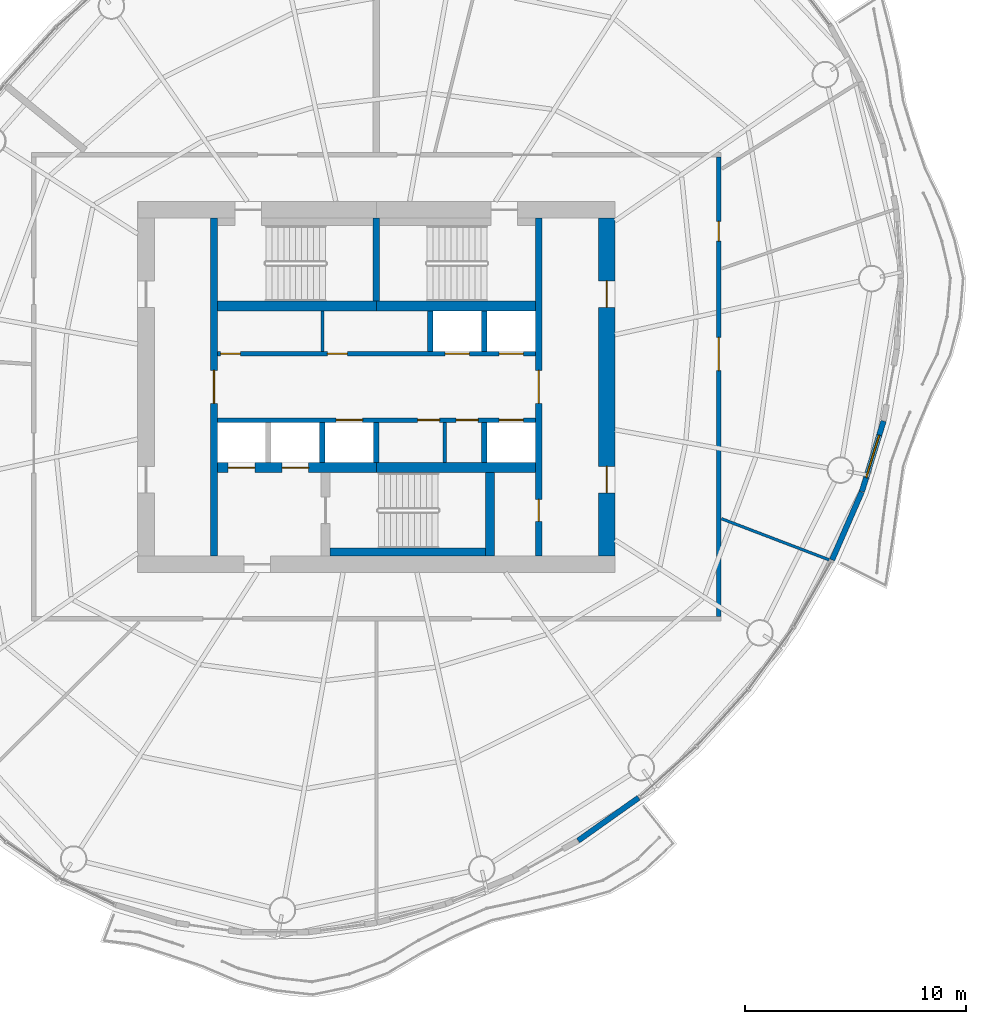
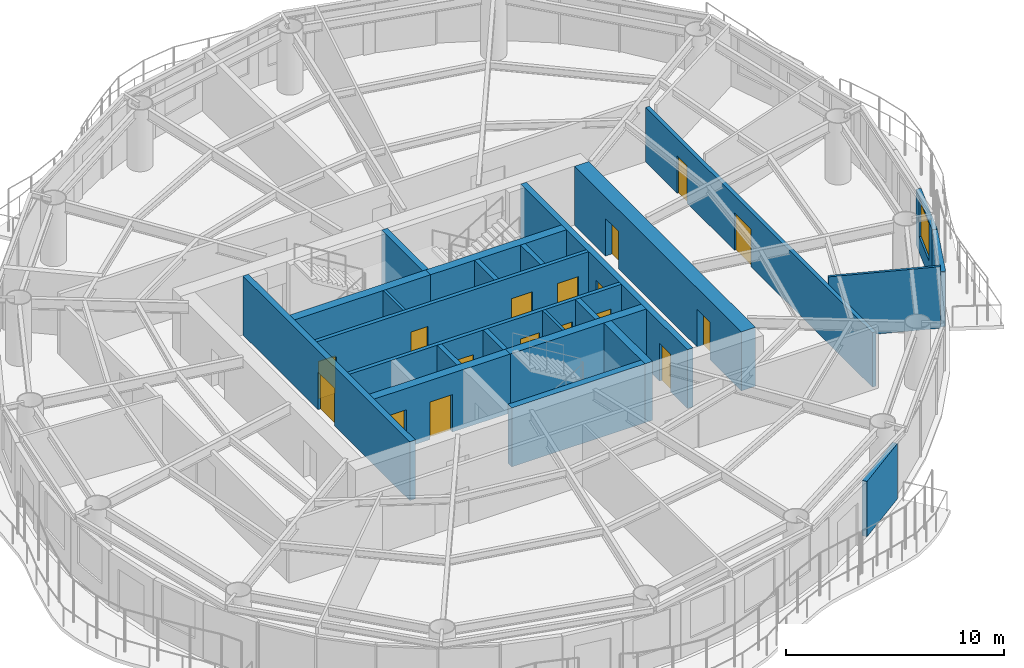
# One storey, part 9 of 14: 24 walls, 17 doors, 1 window, 18 openings.
"""IFC4 building model written with IfcOpenShell, lengths in metres."""

import ifcopenshell
import ifcopenshell.guid

model = None  # the IFC model being written
_history = None  # IfcOwnerHistory: only IFC2X3 demands one
_inside = {}  # id of a spatial element -> (the spatial element, [elements in it])
_under = {}  # id of a project, library or spatial element -> (it, [spatial elements below it])
_declared = {}  # id of a project -> (the project, [libraries it declares])
_typed = {}  # id of a type object -> (the type object, [elements of that type])
_made_of = {}  # id of a material, layer set ... -> (it, [elements and type objects made of it])


def new_model(schema):
    """Start an empty IFC model of exactly this schema.

    Asked for "IFC4X3", IfcOpenShell would pick the latest addendum, in which some entities
    have other attributes; the version numbers below select the first issue.
    IFC2X3 requires an IfcOwnerHistory on every rooted entity: one is made here for all.
    """
    global model, _history
    if schema == "IFC4X3":
        model = ifcopenshell.file(schema_version=(4, 3, 0, 0))
    else:
        model = ifcopenshell.file(schema=schema)
    _inside.clear()
    _under.clear()
    _declared.clear()
    _typed.clear()
    _made_of.clear()
    _history = None
    if model.schema == "IFC2X3":
        org = make("IfcOrganization", Name="unknown")
        user = make(
            "IfcPersonAndOrganization",
            ThePerson=make("IfcPerson", FamilyName="unknown"),
            TheOrganization=org,
        )
        app = make(
            "IfcApplication",
            ApplicationDeveloper=org,
            Version="unknown",
            ApplicationFullName="unknown",
            ApplicationIdentifier="unknown",
        )
        _history = make(
            "IfcOwnerHistory",
            OwningUser=user,
            OwningApplication=app,
            ChangeAction="ADDED",
            CreationDate=0,
        )
    return model


def make(cls, **values):
    """One entity of the class cls with the attributes given. An attribute that is None is left unset."""
    return model.create_entity(
        cls, **{name: value for name, value in values.items() if value is not None}
    )


def rooted(cls, **values):
    """An entity with a GlobalId (a new one), such as an element, a storey or a relation."""
    return make(cls, GlobalId=ifcopenshell.guid.new(), OwnerHistory=_history, **values)


def si_unit(unit_type, name, prefix=None):
    """IfcSIUnit, for example si_unit("LENGTHUNIT", "METRE", prefix="MILLI")."""
    return make("IfcSIUnit", UnitType=unit_type, Prefix=prefix, Name=name)


def assignment(units):
    """IfcUnitAssignment: the units of a project."""
    return None if units is None else make("IfcUnitAssignment", Units=units)


def point(xyz):
    """IfcCartesianPoint."""
    return None if xyz is None else make("IfcCartesianPoint", Coordinates=xyz)


def direction(xyz):
    """IfcDirection."""
    return None if xyz is None else make("IfcDirection", DirectionRatios=xyz)


def frame(location, z_axis=None, x_axis=None):
    """IfcAxis2Placement3D, a coordinate frame: its origin and axes. An axis left out is left unset."""
    return make(
        "IfcAxis2Placement3D",
        Location=point(location),
        Axis=direction(z_axis),
        RefDirection=direction(x_axis),
    )


def frame_2d(location, x_axis=None):
    """IfcAxis2Placement2D, a coordinate frame in the plane: its origin and x axis."""
    return make(
        "IfcAxis2Placement2D", Location=point(location), RefDirection=direction(x_axis)
    )


def origin():
    """The frame at (0, 0, 0) with its axes left unset."""
    return frame((0.0, 0.0, 0.0))


def place(relative_to, where):
    """IfcLocalPlacement: puts the frame where relative to a parent placement (None: the world)."""
    return make(
        "IfcLocalPlacement", PlacementRelTo=relative_to, RelativePlacement=where
    )


def context(
    kind, dimensions, precision=None, world=None, true_north=None, identifier=None
):
    """IfcGeometricRepresentationContext, for example the 3D "Model" context."""
    return make(
        "IfcGeometricRepresentationContext",
        ContextIdentifier=identifier,
        ContextType=kind,
        CoordinateSpaceDimension=dimensions,
        Precision=precision,
        WorldCoordinateSystem=world,
        TrueNorth=true_north,
    )


def subcontext(parent, identifier, kind, view, scale=None):
    """IfcGeometricRepresentationSubContext, for example "Body" below "Model"."""
    return make(
        "IfcGeometricRepresentationSubContext",
        ContextIdentifier=identifier,
        ContextType=kind,
        ParentContext=parent,
        TargetScale=scale,
        TargetView=view,
    )


def project(units=None, contexts=None):
    """IfcProject with its units and contexts."""
    return rooted(
        "IfcProject",
        Name="project",
        RepresentationContexts=contexts,
        UnitsInContext=assignment(units),
    )


def spatial(cls, under=None, at=None, **own):
    """A site, building, storey or space (cls), placed at a placement, below another one or the project."""
    s = rooted(cls, ObjectPlacement=at, **own)
    if under is not None:
        _under.setdefault(under.id(), (under, []))[1].append(s)
    return s


def profile(cls, at=None, kind="AREA", **sizes):
    """A parametric profile (cls). Its sizes go by their IFC names, for example OverallWidth=200.0."""
    return make(cls, ProfileType=kind, Position=at, **sizes)


def rectangle(**sizes):
    """IfcRectangleProfileDef."""
    return profile("IfcRectangleProfileDef", **sizes)


def extrude(swept, where, along, depth):
    """IfcExtrudedAreaSolid: the profile swept, set in the frame where, extruded along a direction by depth."""
    return make(
        "IfcExtrudedAreaSolid",
        SweptArea=swept,
        Position=where,
        ExtrudedDirection=direction(along),
        Depth=depth,
    )


def shape(context_of_items, identifier, shape_type, items):
    """IfcShapeRepresentation: the items that make up one representation, for example the "Body"."""
    return make(
        "IfcShapeRepresentation",
        ContextOfItems=context_of_items,
        RepresentationIdentifier=identifier,
        RepresentationType=shape_type,
        Items=items,
    )


def material(Name=None, Category=None):
    """IfcMaterial."""
    return make("IfcMaterial", Name=Name, Category=Category)


def layer(
    of_material, thickness, ventilated=None, Name=None, Category=None, Priority=None
):
    """IfcMaterialLayer: one layer of a wall or slab, of a material (None: an air gap)."""
    return make(
        "IfcMaterialLayer",
        Material=of_material,
        LayerThickness=thickness,
        IsVentilated=ventilated,
        Name=Name,
        Category=Category,
        Priority=Priority,
    )


def layer_set(layers, Name=None):
    """IfcMaterialLayerSet."""
    return make("IfcMaterialLayerSet", MaterialLayers=layers, LayerSetName=Name)


def made_of(thing, what):
    """Note that an element or type object is made of a material, layer set ...; save() writes the relation."""
    if what is not None:
        _made_of.setdefault(what.id(), (what, []))[1].append(thing)
    return thing


def type_object(cls, material=None, **own):
    """A type object (cls), such as IfcWallType, which elements share."""
    return made_of(rooted(cls, **own), material)


def element(
    cls,
    number,
    at=None,
    inside=None,
    cuts=None,
    type_object=None,
    material=None,
    context=None,
    identifier="Body",
    shape_type=None,
    held_by="IfcProductDefinitionShape",
    body=None,
    shapes=None,
    **own,
):
    """One element of the class cls, such as IfcWall. Its Tag is "e" and its number.

    at: its placement. inside: the storey or other place that contains it. cuts: it is an
    opening in that element (IfcRelVoidsElement). A single representation is given by context,
    identifier, shape_type and body (its items); several are given by shapes. held_by: the class
    of the entity that holds the representations. save() writes the other relations.
    """
    e = rooted(cls, Tag="e%d" % number, ObjectPlacement=at, **own)
    if body is not None:
        shapes = [shape(context, identifier, shape_type, body)]
    if shapes is not None:
        e.Representation = make(held_by, Representations=shapes)
    if inside is not None:
        _inside.setdefault(inside.id(), (inside, []))[1].append(e)
    if cuts is not None:
        rooted(
            "IfcRelVoidsElement", RelatingBuildingElement=cuts, RelatedOpeningElement=e
        )
    if type_object is not None:
        _typed.setdefault(type_object.id(), (type_object, []))[1].append(e)
    return made_of(e, material)


def fill(opening, filler):
    """IfcRelFillsElement: the door or window that sits in an opening."""
    return rooted(
        "IfcRelFillsElement",
        RelatingOpeningElement=opening,
        RelatedBuildingElement=filler,
    )


def aggregate(whole, parts):
    """IfcRelAggregates: a whole, such as a stair, and the parts it consists of."""
    return rooted("IfcRelAggregates", RelatingObject=whole, RelatedObjects=parts)


def save(model, path):
    """Write the relations noted so far, then the file.

    IfcRelAggregates (storeys below a building ...), IfcRelContainedInSpatialStructure (elements
    in a storey), IfcRelDefinesByType, IfcRelAssociatesMaterial and IfcRelDeclares: one each for
    every whole, place, type object, material and project.
    """
    for whole, parts in _under.values():
        aggregate(whole, parts)
    for where, things in _inside.values():
        rooted(
            "IfcRelContainedInSpatialStructure",
            RelatedElements=things,
            RelatingStructure=where,
        )
    for kind, things in _typed.values():
        rooted("IfcRelDefinesByType", RelatedObjects=things, RelatingType=kind)
    for what, things in _made_of.values():
        rooted("IfcRelAssociatesMaterial", RelatedObjects=things, RelatingMaterial=what)
    for by, libraries in _declared.values():
        rooted("IfcRelDeclares", RelatingContext=by, RelatedDefinitions=libraries)
    model.write(path)


model = new_model("IFC4")

# Units and contexts
model_context = context("Model", 3, precision=1e-05, world=origin(), true_north=direction((0.0, 1.0)))
body_context = subcontext(model_context, "Body", "Model", "MODEL_VIEW")
ifc_project = project(units=[si_unit("LENGTHUNIT", "METRE"), si_unit("AREAUNIT", "SQUARE_METRE"), si_unit("VOLUMEUNIT", "CUBIC_METRE"), si_unit("PLANEANGLEUNIT", "RADIAN"), si_unit("MASSUNIT", "GRAM", prefix="KILO")], contexts=[model_context])

# Site, building, storey
site_placement = place(None, origin())
site = spatial("IfcSite", under=ifc_project, at=site_placement, CompositionType="ELEMENT")
building_placement = place(site_placement, origin())
building = spatial("IfcBuilding", under=site, at=building_placement, Name="Vermilion Reach Broadcast Tower", CompositionType="ELEMENT")
storey_placement = place(building_placement, frame((0.0, 0.0, 235.300048828125)))
storey = spatial("IfcBuildingStorey", under=building, at=storey_placement, Name="L58", CompositionType="ELEMENT", Elevation=235.300048828125)

# Wall, opening, door
ifc_material_1 = material(Name="Concrete C60", Category="concrete")
ifc_layer_1 = layer(ifc_material_1, 0.300048828125)
ifc_layer_set_1 = layer_set([ifc_layer_1], Name="Core inner wall 300 mm Concrete C60")
wall_type_1 = type_object("IfcWallType", Name="Core inner wall 300 mm Concrete C60", PredefinedType="SHEAR", material=ifc_layer_set_1)
wall_1_placement = place(storey_placement, frame((-13.35009765625, 7.64990234375, 0.0), z_axis=(0.0, 0.0, 1.0), x_axis=(0.0, -1.0, 0.0)))
wall_1 = element("IfcWall", 1, at=wall_1_placement, inside=storey, type_object=wall_type_1, Name="L58 core wall ewW", PredefinedType="SHEAR", context=body_context, shape_type="SweptSolid", body=[
    extrude(rectangle(XDim=15.2998046875, YDim=0.300048828125, at=frame_2d((7.64990234375, 0.0))), origin(), (0.0, 0.0, 1.0), 3.300048828125),
])
opening_1_placement = place(wall_1_placement, frame((6.89990234375, 0.0, 0.0)))
opening_1 = element("IfcOpeningElement", 2, at=opening_1_placement, cuts=wall_1, Name="Opening D04", PredefinedType="OPENING", context=body_context, shape_type="SweptSolid", body=[
    extrude(rectangle(XDim=1.5, YDim=2.10009765625, at=frame_2d((0.75, 1.050048828125))), frame((0.0, 0.159912109375, 0.0), z_axis=(0.0, -1.0, 0.0), x_axis=(1.0, 0.0, 0.0)), (0.0, 0.0, 1.0), 0.320068359375),
])
ifc_material_2 = material(Name="Painted steel fire door", Category="steel")
door_type_1 = type_object("IfcDoorType", Name="Lift lobby door 1500 x 2100", OperationType="DOUBLE_DOOR_SINGLE_SWING", PredefinedType="NOTDEFINED", material=ifc_material_2)
door_1_placement = place(opening_1_placement, origin())
door_1 = element("IfcDoor", 3, at=door_1_placement, inside=storey, type_object=door_type_1, Name="L58 band door BW", OperationType="DOUBLE_DOOR_SINGLE_SWING", OverallHeight=2.10009765625, OverallWidth=1.5, PredefinedType="NOTDEFINED", context=body_context, shape_type="SweptSolid", body=[
    extrude(rectangle(XDim=1.5, YDim=2.10009765625, at=frame_2d((0.75, 1.050048828125))), frame((0.0, 0.02490234375, 0.0), z_axis=(0.0, -1.0, 0.0), x_axis=(1.0, 0.0, 0.0)), (0.0, 0.0, 1.0), 0.050048828125),
])
fill(opening_1, door_1)

# Wall, openings, doors
wall_2_placement = place(storey_placement, frame((1.35009765625, -7.64990234375, 0.0), z_axis=(0.0, 0.0, 1.0), x_axis=(0.0, 1.0, 0.0)))
wall_2 = element("IfcWall", 4, at=wall_2_placement, inside=storey, type_object=wall_type_1, Name="L58 core wall ewE", PredefinedType="SHEAR", context=body_context, shape_type="SweptSolid", body=[
    extrude(rectangle(XDim=15.2998046875, YDim=0.300048828125, at=frame_2d((7.64990234375, 0.0))), origin(), (0.0, 0.0, 1.0), 3.300048828125),
])
opening_2_placement = place(wall_2_placement, frame((1.56005859375, 0.0, 0.0)))
opening_2 = element("IfcOpeningElement", 5, at=opening_2_placement, cuts=wall_2, Name="Opening D05", PredefinedType="OPENING", context=body_context, shape_type="SweptSolid", body=[
    extrude(rectangle(XDim=1.0, YDim=2.10009765625, at=frame_2d((0.5, 1.050048828125))), frame((0.0, 0.159912109375, 0.0), z_axis=(0.0, -1.0, 0.0), x_axis=(1.0, 0.0, 0.0)), (0.0, 0.0, 1.0), 0.320068359375),
])
opening_3_placement = place(wall_2_placement, frame((6.89990234375, 0.0, 0.0)))
opening_3 = element("IfcOpeningElement", 6, at=opening_3_placement, cuts=wall_2, Name="Opening D04", PredefinedType="OPENING", context=body_context, shape_type="SweptSolid", body=[
    extrude(rectangle(XDim=1.5, YDim=2.10009765625, at=frame_2d((0.75, 1.050048828125))), frame((0.0, 0.159912109375, 0.0), z_axis=(0.0, -1.0, 0.0), x_axis=(1.0, 0.0, 0.0)), (0.0, 0.0, 1.0), 0.320068359375),
])
door_2_placement = place(opening_3_placement, origin())
door_2 = element("IfcDoor", 7, at=door_2_placement, inside=storey, type_object=door_type_1, Name="L58 band door BE", OperationType="DOUBLE_DOOR_SINGLE_SWING", OverallHeight=2.10009765625, OverallWidth=1.5, PredefinedType="NOTDEFINED", context=body_context, shape_type="SweptSolid", body=[
    extrude(rectangle(XDim=1.5, YDim=2.10009765625, at=frame_2d((0.75, 1.050048828125))), frame((0.0, 0.02490234375, 0.0), z_axis=(0.0, -1.0, 0.0), x_axis=(1.0, 0.0, 0.0)), (0.0, 0.0, 1.0), 0.050048828125),
])
fill(opening_3, door_2)
ifc_material_3 = material(Name="Timber door", Category="wood")
door_type_2 = type_object("IfcDoorType", Name="Room door 1000 x 2100", OperationType="NOTDEFINED", PredefinedType="NOTDEFINED", material=ifc_material_3)
door_3_placement = place(opening_2_placement, origin())
door_3 = element("IfcDoor", 8, at=door_3_placement, inside=storey, type_object=door_type_2, Name="L58 door SER", OperationType="SINGLE_SWING_LEFT", OverallHeight=2.10009765625, OverallWidth=1.0, PredefinedType="NOTDEFINED", context=body_context, shape_type="SweptSolid", body=[
    extrude(rectangle(XDim=1.0, YDim=2.10009765625, at=frame_2d((0.5, 1.050048828125))), frame((0.0, 0.02490234375, 0.0), z_axis=(0.0, -1.0, 0.0), x_axis=(1.0, 0.0, 0.0)), (0.0, 0.0, 1.0), 0.050048828125),
])
fill(opening_2, door_3)

# Walls
wall_3_placement = place(storey_placement, frame((-6.0, 3.8798828125, 0.0), z_axis=(0.0, 0.0, 1.0), x_axis=(0.0, 1.0, 0.0)))
element("IfcWall", 9, at=wall_3_placement, inside=storey, type_object=wall_type_1, Name="L58 core wall wc", PredefinedType="SHEAR", context=body_context, shape_type="SweptSolid", body=[
    extrude(rectangle(XDim=3.77001953125, YDim=0.300048828125, at=frame_2d((1.885009765625, 0.0))), origin(), (0.0, 0.0, 1.0), 3.300048828125),
])
ifc_material_4 = material(Name="Concrete C60", Category="concrete")
ifc_layer_2 = layer(ifc_material_4, 0.39990234375)
ifc_layer_set_2 = layer_set([ifc_layer_2], Name="Core inner wall 400 mm Concrete C60")
wall_type_2 = type_object("IfcWallType", Name="Core inner wall 400 mm Concrete C60", PredefinedType="SHEAR", material=ifc_layer_set_2)
wall_4_placement = place(storey_placement, frame((-0.85009765625, -3.8798828125, 0.0), z_axis=(0.0, 0.0, 1.0), x_axis=(0.0, -1.0, 0.0)))
element("IfcWall", 10, at=wall_4_placement, inside=storey, type_object=wall_type_2, Name="L58 core wall wb", PredefinedType="SHEAR", context=body_context, shape_type="SweptSolid", body=[
    extrude(rectangle(XDim=3.77001953125, YDim=0.39990234375, at=frame_2d((1.885009765625, 0.0))), origin(), (0.0, 0.0, 1.0), 3.300048828125),
])
ifc_material_5 = material(Name="Concrete C60", Category="concrete")
ifc_layer_3 = layer(ifc_material_5, 0.449951171875)
ifc_layer_set_3 = layer_set([ifc_layer_3], Name="Core inner wall 450 mm Concrete C60")
wall_type_3 = type_object("IfcWallType", Name="Core inner wall 450 mm Concrete C60", PredefinedType="SHEAR", material=ifc_layer_set_3)
for number, where, z_axis, x_axis, name in (
    (11, (-13.199951171875, 3.655029296875, 0.0), (0.0, 0.0, 1.0), (1.0, 0.0, 0.0), "L58 core wall winW"),
    (12, (-6.0, 3.655029296875, 0.0), (0.0, 0.0, 1.0), (1.0, 0.0, 0.0), "L58 core wall winE"),
):
    element("IfcWall", number, at=place(storey_placement, frame(where, z_axis=z_axis, x_axis=x_axis)), inside=storey, type_object=wall_type_3, Name=name, PredefinedType="SHEAR", context=body_context, shape_type="SweptSolid", body=[
        extrude(rectangle(XDim=7.199951171875, YDim=0.449951171875, at=frame_2d((3.60009765625, 0.0))), origin(), (0.0, 0.0, 1.0), 3.300048828125),
    ])

# Wall, openings, doors
wall_5_placement = place(storey_placement, frame((-13.199951171875, -3.655029296875, 0.0), z_axis=(0.0, 0.0, 1.0), x_axis=(1.0, 0.0, 0.0)))
wall_5 = element("IfcWall", 13, at=wall_5_placement, inside=storey, type_object=wall_type_3, Name="L58 core wall wisW", PredefinedType="SHEAR", context=body_context, shape_type="SweptSolid", body=[
    extrude(rectangle(XDim=7.199951171875, YDim=0.449951171875, at=frame_2d((3.60009765625, 0.0))), origin(), (0.0, 0.0, 1.0), 3.300048828125),
])
opening_4_placement = place(wall_5_placement, frame((0.495849609375, 0.0, 0.0)))
opening_4 = element("IfcOpeningElement", 14, at=opening_4_placement, cuts=wall_5, Name="Opening LD1", PredefinedType="OPENING", context=body_context, shape_type="SweptSolid", body=[
    extrude(rectangle(XDim=1.199951171875, YDim=2.10009765625, at=frame_2d((0.60009765625, 1.050048828125))), frame((0.0, 0.23486328125, 0.0), z_axis=(0.0, -1.0, 0.0), x_axis=(1.0, 0.0, 0.0)), (0.0, 0.0, 1.0), 0.469970703125),
])
opening_5_placement = place(wall_5_placement, frame((2.9375, 0.0, 0.0)))
opening_5 = element("IfcOpeningElement", 15, at=opening_5_placement, cuts=wall_5, Name="Opening LD1", PredefinedType="OPENING", context=body_context, shape_type="SweptSolid", body=[
    extrude(rectangle(XDim=1.199951171875, YDim=2.10009765625, at=frame_2d((0.60009765625, 1.050048828125))), frame((0.0, 0.23486328125, 0.0), z_axis=(0.0, -1.0, 0.0), x_axis=(1.0, 0.0, 0.0)), (0.0, 0.0, 1.0), 0.469970703125),
])
ifc_material_6 = material(Name="Stainless steel", Category="steel")
door_type_3 = type_object("IfcDoorType", Name="Landing door 1200 x 2100", OperationType="DOUBLE_DOOR_SLIDING", PredefinedType="NOTDEFINED", material=ifc_material_6)
door_4_placement = place(opening_4_placement, origin())
door_4 = element("IfcDoor", 16, at=door_4_placement, inside=storey, type_object=door_type_3, Name="L58 landing door FF1", OperationType="DOUBLE_DOOR_SLIDING", OverallHeight=2.10009765625, OverallWidth=1.199951171875, PredefinedType="NOTDEFINED", context=body_context, shape_type="SweptSolid", body=[
    extrude(rectangle(XDim=1.199951171875, YDim=2.10009765625, at=frame_2d((0.60009765625, 1.050048828125))), frame((0.0, 0.02490234375, 0.0), z_axis=(0.0, -1.0, 0.0), x_axis=(1.0, 0.0, 0.0)), (0.0, 0.0, 1.0), 0.050048828125),
])
fill(opening_4, door_4)
door_5_placement = place(opening_5_placement, origin())
door_5 = element("IfcDoor", 17, at=door_5_placement, inside=storey, type_object=door_type_3, Name="L58 landing door FF2", OperationType="DOUBLE_DOOR_SLIDING", OverallHeight=2.10009765625, OverallWidth=1.199951171875, PredefinedType="NOTDEFINED", context=body_context, shape_type="SweptSolid", body=[
    extrude(rectangle(XDim=1.199951171875, YDim=2.10009765625, at=frame_2d((0.60009765625, 1.050048828125))), frame((0.0, 0.02490234375, 0.0), z_axis=(0.0, -1.0, 0.0), x_axis=(1.0, 0.0, 0.0)), (0.0, 0.0, 1.0), 0.050048828125),
])
fill(opening_5, door_5)

# Wall
wall_6_placement = place(storey_placement, frame((-6.0, -3.655029296875, 0.0), z_axis=(0.0, 0.0, 1.0), x_axis=(1.0, 0.0, 0.0)))
element("IfcWall", 18, at=wall_6_placement, inside=storey, type_object=wall_type_3, Name="L58 core wall wisE", PredefinedType="SHEAR", context=body_context, shape_type="SweptSolid", body=[
    extrude(rectangle(XDim=7.199951171875, YDim=0.449951171875, at=frame_2d((3.60009765625, 0.0))), origin(), (0.0, 0.0, 1.0), 3.300048828125),
])

# Wall, openings, doors
ifc_material_7 = material(Name="Concrete C60", Category="concrete")
ifc_layer_4 = layer(ifc_material_7, 0.75)
ifc_layer_set_4 = layer_set([ifc_layer_4], Name="Core outer wall 750 mm Concrete C60")
wall_type_4 = type_object("IfcWallType", Name="Core outer wall 750 mm Concrete C60", PredefinedType="SHEAR", material=ifc_layer_set_4)
wall_7_placement = place(storey_placement, frame((4.425048828125, -7.64990234375, 0.0), z_axis=(0.0, 0.0, 1.0), x_axis=(0.0, 1.0, 0.0)))
wall_7 = element("IfcWall", 19, at=wall_7_placement, inside=storey, type_object=wall_type_4, Name="L58 core wall oe", PredefinedType="SHEAR", context=body_context, shape_type="SweptSolid", body=[
    extrude(rectangle(XDim=15.2998046875, YDim=0.75, at=frame_2d((7.64990234375, 0.0))), origin(), (0.0, 0.0, 1.0), 3.300048828125),
])
opening_6_placement = place(wall_7_placement, frame((2.85009765625, 0.0, 0.0)))
opening_6 = element("IfcOpeningElement", 20, at=opening_6_placement, cuts=wall_7, Name="Opening D03", PredefinedType="OPENING", context=body_context, shape_type="SweptSolid", body=[
    extrude(rectangle(XDim=1.199951171875, YDim=2.10009765625, at=frame_2d((0.60009765625, 1.050048828125))), frame((0.0, 0.385009765625, 0.0), z_axis=(0.0, -1.0, 0.0), x_axis=(1.0, 0.0, 0.0)), (0.0, 0.0, 1.0), 0.77001953125),
])
opening_7_placement = place(wall_7_placement, frame((11.25, 0.0, 0.0)))
opening_7 = element("IfcOpeningElement", 21, at=opening_7_placement, cuts=wall_7, Name="Opening D03", PredefinedType="OPENING", context=body_context, shape_type="SweptSolid", body=[
    extrude(rectangle(XDim=1.199951171875, YDim=2.10009765625, at=frame_2d((0.60009765625, 1.050048828125))), frame((0.0, 0.385009765625, 0.0), z_axis=(0.0, -1.0, 0.0), x_axis=(1.0, 0.0, 0.0)), (0.0, 0.0, 1.0), 0.77001953125),
])
ifc_material_8 = material(Name="Painted steel fire door", Category="steel")
door_type_4 = type_object("IfcDoorType", Name="Core lobby door 1200 x 2100", OperationType="DOUBLE_DOOR_SINGLE_SWING", PredefinedType="NOTDEFINED", material=ifc_material_8)
door_6_placement = place(opening_6_placement, origin())
door_6 = element("IfcDoor", 22, at=door_6_placement, inside=storey, type_object=door_type_4, Name="L58 slot door E0", OperationType="DOUBLE_DOOR_SINGLE_SWING", OverallHeight=2.10009765625, OverallWidth=1.199951171875, PredefinedType="NOTDEFINED", context=body_context, shape_type="SweptSolid", body=[
    extrude(rectangle(XDim=1.199951171875, YDim=2.10009765625, at=frame_2d((0.60009765625, 1.050048828125))), frame((0.0, 0.02490234375, 0.0), z_axis=(0.0, -1.0, 0.0), x_axis=(1.0, 0.0, 0.0)), (0.0, 0.0, 1.0), 0.050048828125),
])
fill(opening_6, door_6)
door_7_placement = place(opening_7_placement, origin())
door_7 = element("IfcDoor", 23, at=door_7_placement, inside=storey, type_object=door_type_4, Name="L58 slot door E1", OperationType="DOUBLE_DOOR_SINGLE_SWING", OverallHeight=2.10009765625, OverallWidth=1.199951171875, PredefinedType="NOTDEFINED", context=body_context, shape_type="SweptSolid", body=[
    extrude(rectangle(XDim=1.199951171875, YDim=2.10009765625, at=frame_2d((0.60009765625, 1.050048828125))), frame((0.0, 0.02490234375, 0.0), z_axis=(0.0, -1.0, 0.0), x_axis=(1.0, 0.0, 0.0)), (0.0, 0.0, 1.0), 0.050048828125),
])
fill(opening_7, door_7)

# Walls
ifc_material_9 = material(Name="Masonry block", Category="masonry")
ifc_layer_5 = layer(ifc_material_9, 0.14990234375)
ifc_layer_set_5 = layer_set([ifc_layer_5], Name="Core partition wall 150 mm Masonry block")
wall_type_5 = type_object("IfcWallType", Name="Core partition wall 150 mm Masonry block", PredefinedType="PARTITIONING", material=ifc_layer_set_5)
for number, where, z_axis, x_axis, name in (
    (24, (-8.441650390625, 1.60009765625, 0.0), (0.0, 0.0, 1.0), (0.0, 1.0, 0.0), "L58 core wall prN-2442"),
    (25, (-2.90966796875, -1.60009765625, 0.0), (0.0, 0.0, 1.0), (0.0, -1.0, 0.0), "L58 core wall prS3090"),
):
    element("IfcWall", number, at=place(storey_placement, frame(where, z_axis=z_axis, x_axis=x_axis)), inside=storey, type_object=wall_type_5, Name=name, PredefinedType="PARTITIONING", context=body_context, shape_type="SweptSolid", body=[
        extrude(rectangle(XDim=1.829833984375, YDim=0.14990234375, at=frame_2d((0.9150390625, 0.0))), origin(), (0.0, 0.0, 1.0), 3.300048828125),
    ])

# Wall, openings, doors
ifc_material_10 = material(Name="Concrete C50", Category="concrete")
ifc_layer_6 = layer(ifc_material_10, 0.199951171875)
ifc_layer_set_6 = layer_set([ifc_layer_6], Name="Core shaft wall 200 mm Concrete C50")
wall_type_6 = type_object("IfcWallType", Name="Core shaft wall 200 mm Concrete C50", PredefinedType="SHEAR", material=ifc_layer_set_6)
wall_8_placement = place(storey_placement, frame((-13.199951171875, 1.5, 0.0), z_axis=(0.0, 0.0, 1.0), x_axis=(1.0, 0.0, 0.0)))
wall_8 = element("IfcWall", 26, at=wall_8_placement, inside=storey, type_object=wall_type_6, Name="L58 core wall fn", PredefinedType="SHEAR", context=body_context, shape_type="SweptSolid", body=[
    extrude(rectangle(XDim=14.39990234375, YDim=0.199951171875, at=frame_2d((7.199951171875, 0.0))), origin(), (0.0, 0.0, 1.0), 3.300048828125),
])
opening_8_placement = place(wall_8_placement, frame((10.3125, 0.0, 0.0)))
opening_8 = element("IfcOpeningElement", 27, at=opening_8_placement, cuts=wall_8, Name="Opening LD2", PredefinedType="OPENING", context=body_context, shape_type="SweptSolid", body=[
    extrude(rectangle(XDim=1.10009765625, YDim=2.10009765625, at=frame_2d((0.550048828125, 1.050048828125))), frame((0.0, 0.10986328125, 0.0), z_axis=(0.0, -1.0, 0.0), x_axis=(1.0, 0.0, 0.0)), (0.0, 0.0, 1.0), 0.219970703125),
])
opening_9_placement = place(wall_8_placement, frame((12.754150390625, 0.0, 0.0)))
opening_9 = element("IfcOpeningElement", 28, at=opening_9_placement, cuts=wall_8, Name="Opening LD2", PredefinedType="OPENING", context=body_context, shape_type="SweptSolid", body=[
    extrude(rectangle(XDim=1.10009765625, YDim=2.10009765625, at=frame_2d((0.550048828125, 1.050048828125))), frame((0.0, 0.10986328125, 0.0), z_axis=(0.0, -1.0, 0.0), x_axis=(1.0, 0.0, 0.0)), (0.0, 0.0, 1.0), 0.219970703125),
])
opening_10_placement = place(wall_8_placement, frame((0.14990234375, 0.0, 0.0)))
opening_10 = element("IfcOpeningElement", 29, at=opening_10_placement, cuts=wall_8, Name="Opening D06", PredefinedType="OPENING", context=body_context, shape_type="SweptSolid", body=[
    extrude(rectangle(XDim=0.89990234375, YDim=2.10009765625, at=frame_2d((0.449951171875, 1.050048828125))), frame((0.0, 0.10986328125, 0.0), z_axis=(0.0, -1.0, 0.0), x_axis=(1.0, 0.0, 0.0)), (0.0, 0.0, 1.0), 0.219970703125),
])
opening_11_placement = place(wall_8_placement, frame((4.9833984375, 0.0, 0.0)))
opening_11 = element("IfcOpeningElement", 30, at=opening_11_placement, cuts=wall_8, Name="Opening D06", PredefinedType="OPENING", context=body_context, shape_type="SweptSolid", body=[
    extrude(rectangle(XDim=0.89990234375, YDim=2.10009765625, at=frame_2d((0.449951171875, 1.050048828125))), frame((0.0, 0.10986328125, 0.0), z_axis=(0.0, -1.0, 0.0), x_axis=(1.0, 0.0, 0.0)), (0.0, 0.0, 1.0), 0.219970703125),
])
ifc_material_11 = material(Name="Stainless steel", Category="steel")
door_type_5 = type_object("IfcDoorType", Name="Landing door 1100 x 2100", OperationType="DOUBLE_DOOR_SLIDING", PredefinedType="NOTDEFINED", material=ifc_material_11)
door_8_placement = place(opening_8_placement, origin())
door_8 = element("IfcDoor", 31, at=door_8_placement, inside=storey, type_object=door_type_5, Name="L58 landing door HR1", OperationType="DOUBLE_DOOR_SLIDING", OverallHeight=2.10009765625, OverallWidth=1.10009765625, PredefinedType="NOTDEFINED", context=body_context, shape_type="SweptSolid", body=[
    extrude(rectangle(XDim=1.10009765625, YDim=2.10009765625, at=frame_2d((0.550048828125, 1.050048828125))), frame((0.0, 0.02490234375, 0.0), z_axis=(0.0, -1.0, 0.0), x_axis=(1.0, 0.0, 0.0)), (0.0, 0.0, 1.0), 0.050048828125),
])
fill(opening_8, door_8)
door_9_placement = place(opening_9_placement, origin())
door_9 = element("IfcDoor", 32, at=door_9_placement, inside=storey, type_object=door_type_5, Name="L58 landing door HR2", OperationType="DOUBLE_DOOR_SLIDING", OverallHeight=2.10009765625, OverallWidth=1.10009765625, PredefinedType="NOTDEFINED", context=body_context, shape_type="SweptSolid", body=[
    extrude(rectangle(XDim=1.10009765625, YDim=2.10009765625, at=frame_2d((0.550048828125, 1.050048828125))), frame((0.0, 0.02490234375, 0.0), z_axis=(0.0, -1.0, 0.0), x_axis=(1.0, 0.0, 0.0)), (0.0, 0.0, 1.0), 0.050048828125),
])
fill(opening_9, door_9)
ifc_material_12 = material(Name="Timber door", Category="wood")
door_type_6 = type_object("IfcDoorType", Name="WC door 900 x 2100", OperationType="NOTDEFINED", PredefinedType="NOTDEFINED", material=ifc_material_12)
door_10_placement = place(opening_10_placement, origin())
door_10 = element("IfcDoor", 33, at=door_10_placement, inside=storey, type_object=door_type_6, Name="L58 door Female WC", OperationType="SINGLE_SWING_LEFT", OverallHeight=2.10009765625, OverallWidth=0.89990234375, PredefinedType="NOTDEFINED", context=body_context, shape_type="SweptSolid", body=[
    extrude(rectangle(XDim=0.89990234375, YDim=2.10009765625, at=frame_2d((0.449951171875, 1.050048828125))), frame((0.0, 0.02490234375, 0.0), z_axis=(0.0, -1.0, 0.0), x_axis=(1.0, 0.0, 0.0)), (0.0, 0.0, 1.0), 0.050048828125),
])
fill(opening_10, door_10)
door_11_placement = place(opening_11_placement, origin())
door_11 = element("IfcDoor", 34, at=door_11_placement, inside=storey, type_object=door_type_6, Name="L58 door Male WC", OperationType="SINGLE_SWING_LEFT", OverallHeight=2.10009765625, OverallWidth=0.89990234375, PredefinedType="NOTDEFINED", context=body_context, shape_type="SweptSolid", body=[
    extrude(rectangle(XDim=0.89990234375, YDim=2.10009765625, at=frame_2d((0.449951171875, 1.050048828125))), frame((0.0, 0.02490234375, 0.0), z_axis=(0.0, -1.0, 0.0), x_axis=(1.0, 0.0, 0.0)), (0.0, 0.0, 1.0), 0.050048828125),
])
fill(opening_11, door_11)

wall_9_placement = place(storey_placement, frame((1.199951171875, -1.5, 0.0), z_axis=(0.0, 0.0, 1.0), x_axis=(-1.0, 0.0, 0.0)))
wall_9 = element("IfcWall", 35, at=wall_9_placement, inside=storey, type_object=wall_type_6, Name="L58 core wall fs", PredefinedType="SHEAR", context=body_context, shape_type="SweptSolid", body=[
    extrude(rectangle(XDim=14.39990234375, YDim=0.199951171875, at=frame_2d((7.199951171875, 0.0))), origin(), (0.0, 0.0, 1.0), 3.300048828125),
])
opening_12_placement = place(wall_9_placement, frame((7.82080078125, 0.0, 0.0)))
opening_12 = element("IfcOpeningElement", 36, at=opening_12_placement, cuts=wall_9, Name="Opening LD1", PredefinedType="OPENING", context=body_context, shape_type="SweptSolid", body=[
    extrude(rectangle(XDim=1.199951171875, YDim=2.10009765625, at=frame_2d((0.60009765625, 1.050048828125))), frame((0.0, 0.10986328125, 0.0), z_axis=(0.0, -1.0, 0.0), x_axis=(1.0, 0.0, 0.0)), (0.0, 0.0, 1.0), 0.219970703125),
])
opening_13_placement = place(wall_9_placement, frame((0.5458984375, 0.0, 0.0)))
opening_13 = element("IfcOpeningElement", 37, at=opening_13_placement, cuts=wall_9, Name="Opening LD2", PredefinedType="OPENING", context=body_context, shape_type="SweptSolid", body=[
    extrude(rectangle(XDim=1.10009765625, YDim=2.10009765625, at=frame_2d((0.550048828125, 1.050048828125))), frame((0.0, 0.10986328125, 0.0), z_axis=(0.0, -1.0, 0.0), x_axis=(1.0, 0.0, 0.0)), (0.0, 0.0, 1.0), 0.219970703125),
])
opening_14_placement = place(wall_9_placement, frame((4.334716796875, 0.0, 0.0)))
opening_14 = element("IfcOpeningElement", 38, at=opening_14_placement, cuts=wall_9, Name="Opening D07", PredefinedType="OPENING", context=body_context, shape_type="SweptSolid", body=[
    extrude(rectangle(XDim=1.0, YDim=2.10009765625, at=frame_2d((0.5, 1.050048828125))), frame((0.0, 0.10986328125, 0.0), z_axis=(0.0, -1.0, 0.0), x_axis=(1.0, 0.0, 0.0)), (0.0, 0.0, 1.0), 0.219970703125),
])
opening_15_placement = place(wall_9_placement, frame((2.591552734375, 0.0, 0.0)))
opening_15 = element("IfcOpeningElement", 39, at=opening_15_placement, cuts=wall_9, Name="Opening D10", PredefinedType="OPENING", context=body_context, shape_type="SweptSolid", body=[
    extrude(rectangle(XDim=1.0, YDim=2.10009765625, at=frame_2d((0.5, 1.050048828125))), frame((0.0, 0.10986328125, 0.0), z_axis=(0.0, -1.0, 0.0), x_axis=(1.0, 0.0, 0.0)), (0.0, 0.0, 1.0), 0.219970703125),
])
ifc_material_13 = material(Name="Timber door", Category="wood")
door_type_7 = type_object("IfcDoorType", Name="Accessible WC door 1000 x 2100", OperationType="NOTDEFINED", PredefinedType="NOTDEFINED", material=ifc_material_13)
door_12_placement = place(opening_14_placement, origin())
door_12 = element("IfcDoor", 40, at=door_12_placement, inside=storey, type_object=door_type_7, Name="L58 door Accessible WC", OperationType="SINGLE_SWING_LEFT", OverallHeight=2.10009765625, OverallWidth=1.0, PredefinedType="NOTDEFINED", context=body_context, shape_type="SweptSolid", body=[
    extrude(rectangle(XDim=1.0, YDim=2.10009765625, at=frame_2d((0.5, 1.050048828125))), frame((0.0, 0.02490234375, 0.0), z_axis=(0.0, -1.0, 0.0), x_axis=(1.0, 0.0, 0.0)), (0.0, 0.0, 1.0), 0.050048828125),
])
fill(opening_14, door_12)
door_13_placement = place(opening_13_placement, origin())
door_13 = element("IfcDoor", 41, at=door_13_placement, inside=storey, type_object=door_type_5, Name="L58 landing door HR3", OperationType="DOUBLE_DOOR_SLIDING", OverallHeight=2.10009765625, OverallWidth=1.10009765625, PredefinedType="NOTDEFINED", context=body_context, shape_type="SweptSolid", body=[
    extrude(rectangle(XDim=1.10009765625, YDim=2.10009765625, at=frame_2d((0.550048828125, 1.050048828125))), frame((0.0, 0.02490234375, 0.0), z_axis=(0.0, -1.0, 0.0), x_axis=(1.0, 0.0, 0.0)), (0.0, 0.0, 1.0), 0.050048828125),
])
fill(opening_13, door_13)
door_14_placement = place(opening_12_placement, origin())
door_14 = element("IfcDoor", 42, at=door_14_placement, inside=storey, type_object=door_type_3, Name="L58 landing door SV1", OperationType="DOUBLE_DOOR_SLIDING", OverallHeight=2.10009765625, OverallWidth=1.199951171875, PredefinedType="NOTDEFINED", context=body_context, shape_type="SweptSolid", body=[
    extrude(rectangle(XDim=1.199951171875, YDim=2.10009765625, at=frame_2d((0.60009765625, 1.050048828125))), frame((0.0, 0.02490234375, 0.0), z_axis=(0.0, -1.0, 0.0), x_axis=(1.0, 0.0, 0.0)), (0.0, 0.0, 1.0), 0.050048828125),
])
fill(opening_12, door_14)
ifc_material_14 = material(Name="Timber door", Category="wood")
door_type_8 = type_object("IfcDoorType", Name="WC lobby door 1000 x 2100", OperationType="NOTDEFINED", PredefinedType="NOTDEFINED", material=ifc_material_14)
door_15_placement = place(opening_15_placement, origin())
door_15 = element("IfcDoor", 43, at=door_15_placement, inside=storey, type_object=door_type_8, Name="L58 door WC lobby", OperationType="SINGLE_SWING_LEFT", OverallHeight=2.10009765625, OverallWidth=1.0, PredefinedType="NOTDEFINED", context=body_context, shape_type="SweptSolid", body=[
    extrude(rectangle(XDim=1.0, YDim=2.10009765625, at=frame_2d((0.5, 1.050048828125))), frame((0.0, 0.02490234375, 0.0), z_axis=(0.0, -1.0, 0.0), x_axis=(1.0, 0.0, 0.0)), (0.0, 0.0, 1.0), 0.050048828125),
])
fill(opening_15, door_15)

# Walls
ifc_material_15 = material(Name="Concrete C50", Category="concrete")
ifc_layer_7 = layer(ifc_material_15, 0.25)
ifc_layer_set_7 = layer_set([ifc_layer_7], Name="Core shaft wall 250 mm Concrete C50")
wall_type_7 = type_object("IfcWallType", Name="Core shaft wall 250 mm Concrete C50", PredefinedType="SHEAR", material=ifc_layer_set_7)
for number, where, z_axis, x_axis, name in (
    (44, (-3.558349609375, 1.60009765625, 0.0), (0.0, 0.0, 1.0), (0.0, 1.0, 0.0), "L58 core wall psN3"),
    (45, (-1.11669921875, 1.60009765625, 0.0), (0.0, 0.0, 1.0), (0.0, 1.0, 0.0), "L58 core wall psN4"),
    (46, (-8.441650390625, -1.60009765625, 0.0), (0.0, 0.0, 1.0), (0.0, -1.0, 0.0), "L58 core wall psS1"),
    (47, (-6.0, -1.60009765625, 0.0), (0.0, 0.0, 1.0), (0.0, -1.0, 0.0), "L58 core wall psS2"),
    (48, (-1.11669921875, -1.60009765625, 0.0), (0.0, 0.0, 1.0), (0.0, -1.0, 0.0), "L58 core wall psS4"),
):
    element("IfcWall", number, at=place(storey_placement, frame(where, z_axis=z_axis, x_axis=x_axis)), inside=storey, type_object=wall_type_7, Name=name, PredefinedType="SHEAR", context=body_context, shape_type="SweptSolid", body=[
        extrude(rectangle(XDim=1.829833984375, YDim=0.25, at=frame_2d((0.9150390625, 0.0))), origin(), (0.0, 0.0, 1.0), 3.300048828125),
    ])
ifc_material_16 = material(Name="Concrete C60", Category="concrete")
ifc_layer_8 = layer(ifc_material_16, 0.35009765625)
ifc_layer_set_8 = layer_set([ifc_layer_8], Name="Core stair wall 350 mm Concrete C60")
wall_type_8 = type_object("IfcWallType", Name="Core stair wall 350 mm Concrete C60", PredefinedType="SHEAR", material=ifc_layer_set_8)
wall_10_placement = place(storey_placement, frame((-8.10009765625, -7.47509765625, 0.0), z_axis=(0.0, 0.0, 1.0), x_axis=(1.0, 0.0, 0.0)))
element("IfcWall", 49, at=wall_10_placement, inside=storey, type_object=wall_type_8, Name="L58 core wall l3", PredefinedType="SHEAR", context=body_context, shape_type="SweptSolid", body=[
    extrude(rectangle(XDim=7.050048828125, YDim=0.35009765625, at=frame_2d((3.52490234375, 0.0))), origin(), (0.0, 0.0, 1.0), 3.300048828125),
])
ifc_material_17 = material(Name="Fire-rated plasterboard on steel stud", Category="steel")
ifc_layer_9 = layer(ifc_material_17, 0.125)
ifc_layer_set_9 = layer_set([ifc_layer_9], Name="Partition 125 fire-rated stud")
wall_type_9 = type_object("IfcWallType", Name="Partition 125 fire-rated stud", PredefinedType="PARTITIONING", material=ifc_layer_set_9)
wall_11_placement = place(storey_placement, frame((14.49267578125, -7.826416015625, 0.0), z_axis=(0.0, 0.0, 1.0), x_axis=(-0.934185469715, 0.356787763485, 0.0)))
element("IfcWall", 50, at=wall_11_placement, inside=storey, type_object=wall_type_9, Name="Partition 58.07", PredefinedType="PARTITIONING", context=body_context, shape_type="SweptSolid", body=[
    extrude(rectangle(XDim=5.21337890625, YDim=0.125, at=frame_2d((2.606689453125, 0.0))), origin(), (0.0, 0.0, 1.0), 3.449951171875),
])
ifc_material_18 = material(Name="Terracotta rainscreen cladding", Category="masonry")
ifc_layer_10 = layer(ifc_material_18, 0.25)
ifc_layer_set_10 = layer_set([ifc_layer_10], Name="Terracotta rainscreen wall 250")
wall_type_10 = type_object("IfcWallType", Name="Terracotta rainscreen wall 250", PredefinedType="SOLIDWALL", material=ifc_layer_set_10)
for number, where, z_axis, x_axis, name in (
    (51, (3.13671875, -20.5361328125, 0.0), (0.0, 0.0, 1.0), (0.81577537226, 0.578368863282, 0.0), "External wall L58 33"),
    (52, (14.62646484375, -7.83203125, 0.0), (0.0, 0.0, 1.0), (0.399940006996, 0.916541319747, 0.0), "External wall L58 38"),
):
    element("IfcWall", number, at=place(storey_placement, frame(where, z_axis=z_axis, x_axis=x_axis)), inside=storey, type_object=wall_type_10, Name=name, PredefinedType="SOLIDWALL", context=body_context, shape_type="SweptSolid", body=[
        extrude(rectangle(XDim=3.3525390625, YDim=0.25, at=frame_2d((1.67626953125, 0.0))), origin(), (0.0, 0.0, 1.0), 3.099853515625),
    ])

# Wall, opening, window
wall_12_placement = place(storey_placement, frame((15.97509765625, -4.73876953125, 0.0), z_axis=(0.0, 0.0, 1.0), x_axis=(0.294306671234, 0.955711035443, 0.0)))
wall_12 = element("IfcWall", 53, at=wall_12_placement, inside=storey, type_object=wall_type_10, Name="External wall L58 39", PredefinedType="SOLIDWALL", context=body_context, shape_type="SweptSolid", body=[
    extrude(rectangle(XDim=3.340576171875, YDim=0.25, at=frame_2d((1.67041015625, 0.0))), origin(), (0.0, 0.0, 1.0), 3.099853515625),
])
opening_16_placement = place(wall_12_placement, frame((0.67041015625, 0.0, 0.89990234375)))
opening_16 = element("IfcOpeningElement", 54, at=opening_16_placement, cuts=wall_12, Name="Opening W03", PredefinedType="OPENING", context=body_context, shape_type="SweptSolid", body=[
    extrude(rectangle(XDim=2.0, YDim=2.10009765625, at=frame_2d((1.0, 1.050048828125))), frame((0.0, 0.135009765625, 0.0), z_axis=(0.0, -1.0, 0.0), x_axis=(1.0, 0.0, 0.0)), (0.0, 0.0, 1.0), 0.27001953125),
])
ifc_material_19 = material(Name="Low-e laminated clear glass in aluminium frame", Category="aluminium")
window_type = type_object("IfcWindowType", Name="Punched window 2000 x 2100 sill 900", PartitioningType="SINGLE_PANEL", PredefinedType="WINDOW", material=ifc_material_19)
window_placement = place(opening_16_placement, origin())
window = element("IfcWindow", 55, at=window_placement, inside=storey, type_object=window_type, Name="Window L58 39", OverallHeight=2.10009765625, OverallWidth=2.0, PartitioningType="SINGLE_PANEL", PredefinedType="WINDOW", context=body_context, shape_type="SweptSolid", body=[
    extrude(rectangle(XDim=2.0, YDim=2.10009765625, at=frame_2d((1.0, 1.050048828125))), frame((0.0, 0.030029296875, 0.0), z_axis=(0.0, -1.0, 0.0), x_axis=(1.0, 0.0, 0.0)), (0.0, 0.0, 1.0), 0.06005859375),
])
fill(opening_16, window)

# Wall, openings, doors
ifc_material_20 = material(Name="Fire-rated gypsum board partition")
ifc_layer_11 = layer(ifc_material_20, 0.199951171875)
ifc_layer_set_11 = layer_set([ifc_layer_11], Name="Under girder: Corridor wall 200 fire-rated")
wall_type_11 = type_object("IfcWallType", Name="Under girder: Corridor wall 200 fire-rated", PredefinedType="PARTITIONING", material=ifc_layer_set_11)
wall_13_placement = place(storey_placement, frame((9.5, 10.39990234375, 0.0), z_axis=(0.0, 0.0, 1.0), x_axis=(0.0, -1.0, 0.0)))
wall_13 = element("IfcWall", 56, at=wall_13_placement, inside=storey, type_object=wall_type_11, Name="Corridor wall 58.E", PredefinedType="PARTITIONING", context=body_context, shape_type="SweptSolid", body=[
    extrude(rectangle(XDim=20.7998046875, YDim=0.199951171875, at=frame_2d((10.39990234375, 0.0))), origin(), (0.0, 0.0, 1.0), 3.050048828125),
])
opening_17_placement = place(wall_13_placement, frame((8.162353515625, 0.0, 0.0)))
opening_17 = element("IfcOpeningElement", 57, at=opening_17_placement, cuts=wall_13, Name="Opening D24", PredefinedType="OPENING", context=body_context, shape_type="SweptSolid", body=[
    extrude(rectangle(XDim=1.5, YDim=2.10009765625, at=frame_2d((0.75, 1.050048828125))), frame((0.0, 0.10986328125, 0.0), z_axis=(0.0, -1.0, 0.0), x_axis=(1.0, 0.0, 0.0)), (0.0, 0.0, 1.0), 0.219970703125),
])
opening_18_placement = place(wall_13_placement, frame((2.905517578125, 0.0, 0.0)))
opening_18 = element("IfcOpeningElement", 58, at=opening_18_placement, cuts=wall_13, Name="Opening D22", PredefinedType="OPENING", context=body_context, shape_type="SweptSolid", body=[
    extrude(rectangle(XDim=0.89990234375, YDim=2.10009765625, at=frame_2d((0.449951171875, 1.050048828125))), frame((0.0, 0.10986328125, 0.0), z_axis=(0.0, -1.0, 0.0), x_axis=(1.0, 0.0, 0.0)), (0.0, 0.0, 1.0), 0.219970703125),
])
ifc_material_21 = material(Name="Timber door leaf", Category="wood")
door_type_9 = type_object("IfcDoorType", Name="Door pair 1500x2100", OperationType="NOTDEFINED", PredefinedType="DOOR", material=ifc_material_21)
door_16_placement = place(opening_17_placement, origin())
door_16 = element("IfcDoor", 59, at=door_16_placement, inside=storey, type_object=door_type_9, Name="Door 58.07", OperationType="DOUBLE_DOOR_SINGLE_SWING", OverallHeight=2.10009765625, OverallWidth=1.5, PredefinedType="DOOR", context=body_context, shape_type="SweptSolid", body=[
    extrude(rectangle(XDim=1.5, YDim=2.10009765625, at=frame_2d((0.75, 1.050048828125))), frame((0.0, 0.02490234375, 0.0), z_axis=(0.0, -1.0, 0.0), x_axis=(1.0, 0.0, 0.0)), (0.0, 0.0, 1.0), 0.050048828125),
])
fill(opening_17, door_16)
ifc_material_22 = material(Name="Timber door leaf", Category="wood")
door_type_10 = type_object("IfcDoorType", Name="Door single 900x2100", OperationType="NOTDEFINED", PredefinedType="DOOR", material=ifc_material_22)
door_17_placement = place(opening_18_placement, origin())
door_17 = element("IfcDoor", 60, at=door_17_placement, inside=storey, type_object=door_type_10, Name="Door 58.08", OperationType="SINGLE_SWING_RIGHT", OverallHeight=2.10009765625, OverallWidth=0.89990234375, PredefinedType="DOOR", context=body_context, shape_type="SweptSolid", body=[
    extrude(rectangle(XDim=0.89990234375, YDim=2.10009765625, at=frame_2d((0.449951171875, 1.050048828125))), frame((0.0, 0.02490234375, 0.0), z_axis=(0.0, -1.0, 0.0), x_axis=(1.0, 0.0, 0.0)), (0.0, 0.0, 1.0), 0.050048828125),
])
fill(opening_18, door_17)

save(model, "model.ifc")
